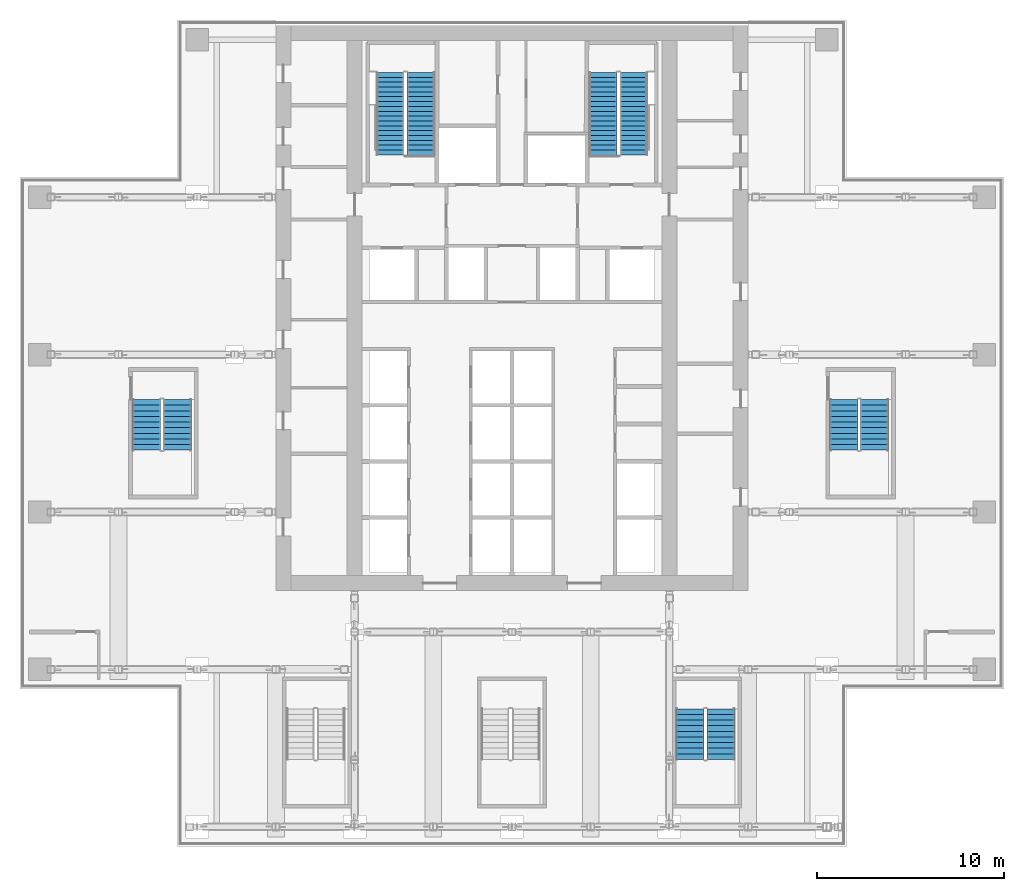
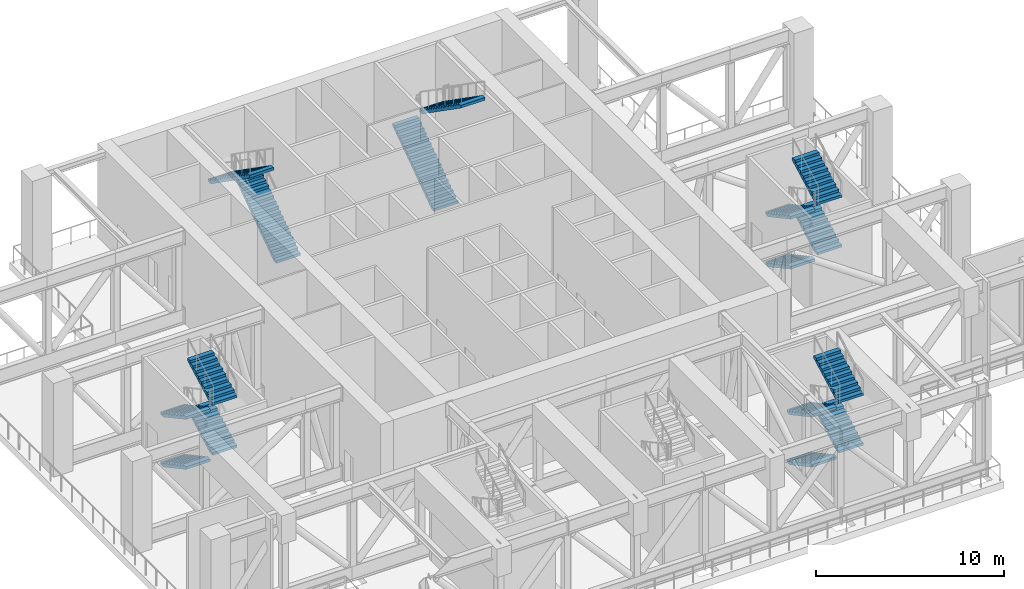
# One storey, part 19 of 23: 16 stair flights, 5 elements without a shape of their own.
"""IFC4 building model written with IfcOpenShell, lengths in metres."""

from ifc_helpers import new_model, si_unit, direction, frame, origin, place, context, subcontext, project, spatial, polyline, outline, extrude, material, type_object, element, aggregate, save


model = new_model("IFC4")

# Units and contexts
model_context = context("Model", 3, precision=1e-05, world=origin(), true_north=direction((0.0, 1.0)))
body_context = subcontext(model_context, "Body", "Model", "MODEL_VIEW")
ifc_project = project(units=[si_unit("LENGTHUNIT", "METRE"), si_unit("AREAUNIT", "SQUARE_METRE"), si_unit("VOLUMEUNIT", "CUBIC_METRE"), si_unit("PLANEANGLEUNIT", "RADIAN"), si_unit("MASSUNIT", "GRAM", prefix="KILO")], contexts=[model_context])

# Site, building, storey
site_placement = place(None, origin())
site = spatial("IfcSite", under=ifc_project, at=site_placement, CompositionType="ELEMENT")
building_placement = place(site_placement, origin())
building = spatial("IfcBuilding", under=site, at=building_placement, Name="Vermilion Ogive Tower", CompositionType="ELEMENT")
storey_placement = place(building_placement, frame((0.0, 0.0, 121.800048828125)))
storey = spatial("IfcBuildingStorey", under=building, at=storey_placement, Name="L31", CompositionType="ELEMENT", Elevation=121.800048828125)

# Stair, stair flights
ifc_material_1 = material(Name="Concrete B40", Category="concrete")
stair_type = type_object("IfcStairType", Name="Exit stair 1500", PredefinedType="HALF_TURN_STAIR", material=ifc_material_1)
stair_1_placement = place(storey_placement, origin())
stair_1 = element("IfcStair", 1, at=stair_1_placement, inside=storey, type_object=stair_type, Name="L31 Exit Stair ST1", PredefinedType="HALF_TURN_STAIR")
ifc_material_2 = material(Name="Concrete B40", Category="concrete")
stair_flight_type = type_object("IfcStairFlightType", Name="Stair flight 1500", PredefinedType="STRAIGHT", material=ifc_material_2)
stair_flight_1_placement = place(storey_placement, frame((-4.85009765625, 14.85009765625, 0.0), z_axis=(0.0, 0.0, 1.0), x_axis=(0.0, 1.0, 0.0)))
stair_flight_1 = element("IfcStairFlight", 2, at=stair_flight_1_placement, type_object=stair_flight_type, Name="ST1 flight 1", NumberOfRisers=18, NumberOfTreads=17, PredefinedType="STRAIGHT", RiserHeight=0.180555556, TreadLength=0.258823529, context=body_context, shape_type="SweptSolid", body=[
    extrude(outline(polyline([(0.0, 0.0), (0.0, 0.1806640625), (0.2587890625, 0.1806640625), (0.2587890625, 0.361083984375), (0.517578125, 0.361083984375), (0.517578125, 0.541748046875), (0.7763671875, 0.541748046875), (0.7763671875, 0.72216796875), (1.035400390625, 0.72216796875), (1.035400390625, 0.90283203125), (1.294189453125, 0.90283203125), (1.294189453125, 1.083251953125), (1.552978515625, 1.083251953125), (1.552978515625, 1.263916015625), (1.811767578125, 1.263916015625), (1.811767578125, 1.4443359375), (2.070556640625, 1.4443359375), (2.070556640625, 1.625), (2.329345703125, 1.625), (2.329345703125, 1.8056640625), (2.588134765625, 1.8056640625), (2.588134765625, 1.986083984375), (2.84716796875, 1.986083984375), (2.84716796875, 2.166748046875), (3.10595703125, 2.166748046875), (3.10595703125, 2.34716796875), (3.36474609375, 2.34716796875), (3.36474609375, 2.52783203125), (3.62353515625, 2.52783203125), (3.62353515625, 2.708251953125), (3.88232421875, 2.708251953125), (3.88232421875, 2.888916015625), (4.14111328125, 2.888916015625), (4.14111328125, 3.0693359375), (4.39990234375, 3.0693359375), (4.39990234375, 3.25), (4.39990234375, 2.88671875), (0.261962890625, 0.0), (0.0, 0.0)])), frame((0.0, 0.75, 0.0), z_axis=(0.0, -1.0, 0.0), x_axis=(1.0, 0.0, 0.0)), (0.0, 0.0, 1.0), 1.5),
])
stair_flight_2_placement = place(storey_placement, frame((-6.5, 19.25, 3.25), z_axis=(0.0, 0.0, 1.0), x_axis=(0.0, -1.0, 0.0)))
stair_flight_2 = element("IfcStairFlight", 3, at=stair_flight_2_placement, type_object=stair_flight_type, Name="ST1 flight 2", NumberOfRisers=18, NumberOfTreads=17, PredefinedType="STRAIGHT", RiserHeight=0.180555556, TreadLength=0.258823529, context=body_context, shape_type="SweptSolid", body=[
    extrude(outline(polyline([(0.0, 0.0), (0.0, 0.1806640625), (0.2587890625, 0.1806640625), (0.2587890625, 0.361083984375), (0.517578125, 0.361083984375), (0.517578125, 0.541748046875), (0.7763671875, 0.541748046875), (0.7763671875, 0.72216796875), (1.035400390625, 0.72216796875), (1.035400390625, 0.90283203125), (1.294189453125, 0.90283203125), (1.294189453125, 1.083251953125), (1.552978515625, 1.083251953125), (1.552978515625, 1.263916015625), (1.811767578125, 1.263916015625), (1.811767578125, 1.4443359375), (2.070556640625, 1.4443359375), (2.070556640625, 1.625), (2.329345703125, 1.625), (2.329345703125, 1.8056640625), (2.588134765625, 1.8056640625), (2.588134765625, 1.986083984375), (2.84716796875, 1.986083984375), (2.84716796875, 2.166748046875), (3.10595703125, 2.166748046875), (3.10595703125, 2.34716796875), (3.36474609375, 2.34716796875), (3.36474609375, 2.52783203125), (3.62353515625, 2.52783203125), (3.62353515625, 2.708251953125), (3.88232421875, 2.708251953125), (3.88232421875, 2.888916015625), (4.14111328125, 2.888916015625), (4.14111328125, 3.0693359375), (4.39990234375, 3.0693359375), (4.39990234375, 3.25), (4.39990234375, 2.88671875), (0.261962890625, 0.0), (0.0, 0.0)])), frame((0.0, 0.75, 0.0), z_axis=(0.0, -1.0, 0.0), x_axis=(1.0, 0.0, 0.0)), (0.0, 0.0, 1.0), 1.5),
])
aggregate(stair_1, [stair_flight_1, stair_flight_2])

stair_2_placement = place(storey_placement, origin())
stair_2 = element("IfcStair", 4, at=stair_2_placement, inside=storey, type_object=stair_type, Name="L31 Exit Stair ST2", PredefinedType="HALF_TURN_STAIR")
stair_flight_3_placement = place(storey_placement, frame((4.85009765625, 14.85009765625, 0.0), z_axis=(0.0, 0.0, 1.0), x_axis=(0.0, 1.0, 0.0)))
stair_flight_3 = element("IfcStairFlight", 5, at=stair_flight_3_placement, type_object=stair_flight_type, Name="ST2 flight 1", NumberOfRisers=18, NumberOfTreads=17, PredefinedType="STRAIGHT", RiserHeight=0.180555556, TreadLength=0.258823529, context=body_context, shape_type="SweptSolid", body=[
    extrude(outline(polyline([(0.0, 0.0), (0.0, 0.1806640625), (0.2587890625, 0.1806640625), (0.2587890625, 0.361083984375), (0.517578125, 0.361083984375), (0.517578125, 0.541748046875), (0.7763671875, 0.541748046875), (0.7763671875, 0.72216796875), (1.035400390625, 0.72216796875), (1.035400390625, 0.90283203125), (1.294189453125, 0.90283203125), (1.294189453125, 1.083251953125), (1.552978515625, 1.083251953125), (1.552978515625, 1.263916015625), (1.811767578125, 1.263916015625), (1.811767578125, 1.4443359375), (2.070556640625, 1.4443359375), (2.070556640625, 1.625), (2.329345703125, 1.625), (2.329345703125, 1.8056640625), (2.588134765625, 1.8056640625), (2.588134765625, 1.986083984375), (2.84716796875, 1.986083984375), (2.84716796875, 2.166748046875), (3.10595703125, 2.166748046875), (3.10595703125, 2.34716796875), (3.36474609375, 2.34716796875), (3.36474609375, 2.52783203125), (3.62353515625, 2.52783203125), (3.62353515625, 2.708251953125), (3.88232421875, 2.708251953125), (3.88232421875, 2.888916015625), (4.14111328125, 2.888916015625), (4.14111328125, 3.0693359375), (4.39990234375, 3.0693359375), (4.39990234375, 3.25), (4.39990234375, 2.88671875), (0.261962890625, 0.0), (0.0, 0.0)])), frame((0.0, 0.75, 0.0), z_axis=(0.0, -1.0, 0.0), x_axis=(1.0, 0.0, 0.0)), (0.0, 0.0, 1.0), 1.5),
])
stair_flight_4_placement = place(storey_placement, frame((6.5, 19.25, 3.25), z_axis=(0.0, 0.0, 1.0), x_axis=(0.0, -1.0, 0.0)))
stair_flight_4 = element("IfcStairFlight", 6, at=stair_flight_4_placement, type_object=stair_flight_type, Name="ST2 flight 2", NumberOfRisers=18, NumberOfTreads=17, PredefinedType="STRAIGHT", RiserHeight=0.180555556, TreadLength=0.258823529, context=body_context, shape_type="SweptSolid", body=[
    extrude(outline(polyline([(0.0, 0.0), (0.0, 0.1806640625), (0.2587890625, 0.1806640625), (0.2587890625, 0.361083984375), (0.517578125, 0.361083984375), (0.517578125, 0.541748046875), (0.7763671875, 0.541748046875), (0.7763671875, 0.72216796875), (1.035400390625, 0.72216796875), (1.035400390625, 0.90283203125), (1.294189453125, 0.90283203125), (1.294189453125, 1.083251953125), (1.552978515625, 1.083251953125), (1.552978515625, 1.263916015625), (1.811767578125, 1.263916015625), (1.811767578125, 1.4443359375), (2.070556640625, 1.4443359375), (2.070556640625, 1.625), (2.329345703125, 1.625), (2.329345703125, 1.8056640625), (2.588134765625, 1.8056640625), (2.588134765625, 1.986083984375), (2.84716796875, 1.986083984375), (2.84716796875, 2.166748046875), (3.10595703125, 2.166748046875), (3.10595703125, 2.34716796875), (3.36474609375, 2.34716796875), (3.36474609375, 2.52783203125), (3.62353515625, 2.52783203125), (3.62353515625, 2.708251953125), (3.88232421875, 2.708251953125), (3.88232421875, 2.888916015625), (4.14111328125, 2.888916015625), (4.14111328125, 3.0693359375), (4.39990234375, 3.0693359375), (4.39990234375, 3.25), (4.39990234375, 2.88671875), (0.261962890625, 0.0), (0.0, 0.0)])), frame((0.0, 0.75, 0.0), z_axis=(0.0, -1.0, 0.0), x_axis=(1.0, 0.0, 0.0)), (0.0, 0.0, 1.0), 1.5),
])
aggregate(stair_2, [stair_flight_3, stair_flight_4])

stair_3_placement = place(storey_placement, origin())
stair_3 = element("IfcStair", 7, at=stair_3_placement, inside=storey, type_object=stair_type, Name="L31 Exit Stair ST5", PredefinedType="HALF_TURN_STAIR")
stair_flight_5_placement = place(storey_placement, frame((9.5, -14.699951171875, 0.0), z_axis=(0.0, 0.0, 1.0), x_axis=(0.0, -1.0, 0.0)))
stair_flight_5 = element("IfcStairFlight", 8, at=stair_flight_5_placement, type_object=stair_flight_type, Name="ST5 flight 1", NumberOfRisers=10, NumberOfTreads=9, PredefinedType="STRAIGHT", RiserHeight=0.1625, TreadLength=0.3, context=body_context, shape_type="SweptSolid", body=[
    extrude(outline(polyline([(0.0, 0.0), (0.0, 0.16259765625), (0.300048828125, 0.16259765625), (0.300048828125, 0.324951171875), (0.60009765625, 0.324951171875), (0.60009765625, 0.487548828125), (0.89990234375, 0.487548828125), (0.89990234375, 0.64990234375), (1.199951171875, 0.64990234375), (1.199951171875, 0.8125), (1.5, 0.8125), (1.5, 0.97509765625), (1.800048828125, 0.97509765625), (1.800048828125, 1.137451171875), (2.10009765625, 1.137451171875), (2.10009765625, 1.300048828125), (2.39990234375, 1.300048828125), (2.39990234375, 1.46240234375), (2.699951171875, 1.46240234375), (2.699951171875, 1.625), (2.699951171875, 1.2919921875), (0.314697265625, 0.0), (0.0, 0.0)])), frame((0.0, 0.75, 0.0), z_axis=(0.0, -1.0, 0.0), x_axis=(1.0, 0.0, 0.0)), (0.0, 0.0, 1.0), 1.5),
])
stair_flight_6_placement = place(storey_placement, frame((11.14990234375, -17.39990234375, 1.625), z_axis=(0.0, 0.0, 1.0), x_axis=(0.0, 1.0, 0.0)))
stair_flight_6 = element("IfcStairFlight", 9, at=stair_flight_6_placement, type_object=stair_flight_type, Name="ST5 flight 2", NumberOfRisers=10, NumberOfTreads=9, PredefinedType="STRAIGHT", RiserHeight=0.1625, TreadLength=0.3, context=body_context, shape_type="SweptSolid", body=[
    extrude(outline(polyline([(0.0, 0.0), (0.0, 0.16259765625), (0.300048828125, 0.16259765625), (0.300048828125, 0.324951171875), (0.60009765625, 0.324951171875), (0.60009765625, 0.487548828125), (0.89990234375, 0.487548828125), (0.89990234375, 0.64990234375), (1.199951171875, 0.64990234375), (1.199951171875, 0.8125), (1.5, 0.8125), (1.5, 0.97509765625), (1.800048828125, 0.97509765625), (1.800048828125, 1.137451171875), (2.10009765625, 1.137451171875), (2.10009765625, 1.300048828125), (2.39990234375, 1.300048828125), (2.39990234375, 1.46240234375), (2.699951171875, 1.46240234375), (2.699951171875, 1.625), (2.699951171875, 1.2919921875), (0.314697265625, 0.0), (0.0, 0.0)])), frame((0.0, 0.75, 0.0), z_axis=(0.0, -1.0, 0.0), x_axis=(1.0, 0.0, 0.0)), (0.0, 0.0, 1.0), 1.5),
])
stair_flight_7_placement = place(storey_placement, frame((9.5, -14.699951171875, 3.25), z_axis=(0.0, 0.0, 1.0), x_axis=(0.0, -1.0, 0.0)))
stair_flight_7 = element("IfcStairFlight", 10, at=stair_flight_7_placement, type_object=stair_flight_type, Name="ST5 flight 3", NumberOfRisers=10, NumberOfTreads=9, PredefinedType="STRAIGHT", RiserHeight=0.1625, TreadLength=0.3, context=body_context, shape_type="SweptSolid", body=[
    extrude(outline(polyline([(0.0, 0.0), (0.0, 0.16259765625), (0.300048828125, 0.16259765625), (0.300048828125, 0.324951171875), (0.60009765625, 0.324951171875), (0.60009765625, 0.487548828125), (0.89990234375, 0.487548828125), (0.89990234375, 0.64990234375), (1.199951171875, 0.64990234375), (1.199951171875, 0.8125), (1.5, 0.8125), (1.5, 0.97509765625), (1.800048828125, 0.97509765625), (1.800048828125, 1.137451171875), (2.10009765625, 1.137451171875), (2.10009765625, 1.300048828125), (2.39990234375, 1.300048828125), (2.39990234375, 1.46240234375), (2.699951171875, 1.46240234375), (2.699951171875, 1.625), (2.699951171875, 1.2919921875), (0.314697265625, 0.0), (0.0, 0.0)])), frame((0.0, 0.75, 0.0), z_axis=(0.0, -1.0, 0.0), x_axis=(1.0, 0.0, 0.0)), (0.0, 0.0, 1.0), 1.5),
])
stair_flight_8_placement = place(storey_placement, frame((11.14990234375, -17.39990234375, 4.875), z_axis=(0.0, 0.0, 1.0), x_axis=(0.0, 1.0, 0.0)))
stair_flight_8 = element("IfcStairFlight", 11, at=stair_flight_8_placement, type_object=stair_flight_type, Name="ST5 flight 4", NumberOfRisers=10, NumberOfTreads=9, PredefinedType="STRAIGHT", RiserHeight=0.1625, TreadLength=0.3, context=body_context, shape_type="SweptSolid", body=[
    extrude(outline(polyline([(0.0, 0.0), (0.0, 0.16259765625), (0.300048828125, 0.16259765625), (0.300048828125, 0.324951171875), (0.60009765625, 0.324951171875), (0.60009765625, 0.487548828125), (0.89990234375, 0.487548828125), (0.89990234375, 0.64990234375), (1.199951171875, 0.64990234375), (1.199951171875, 0.8125), (1.5, 0.8125), (1.5, 0.97509765625), (1.800048828125, 0.97509765625), (1.800048828125, 1.137451171875), (2.10009765625, 1.137451171875), (2.10009765625, 1.300048828125), (2.39990234375, 1.300048828125), (2.39990234375, 1.46240234375), (2.699951171875, 1.46240234375), (2.699951171875, 1.625), (2.699951171875, 1.2919921875), (0.314697265625, 0.0), (0.0, 0.0)])), frame((0.0, 0.75, 0.0), z_axis=(0.0, -1.0, 0.0), x_axis=(1.0, 0.0, 0.0)), (0.0, 0.0, 1.0), 1.5),
])
aggregate(stair_3, [stair_flight_5, stair_flight_6, stair_flight_7, stair_flight_8])

stair_4_placement = place(storey_placement, origin())
stair_4 = element("IfcStair", 12, at=stair_4_placement, inside=storey, type_object=stair_type, Name="L31 Exit Stair ST8", PredefinedType="HALF_TURN_STAIR")
stair_flight_9_placement = place(storey_placement, frame((17.699951171875, 1.800048828125, 0.0), z_axis=(0.0, 0.0, 1.0), x_axis=(0.0, -1.0, 0.0)))
stair_flight_9 = element("IfcStairFlight", 13, at=stair_flight_9_placement, type_object=stair_flight_type, Name="ST8 flight 1", NumberOfRisers=10, NumberOfTreads=9, PredefinedType="STRAIGHT", RiserHeight=0.1625, TreadLength=0.3, context=body_context, shape_type="SweptSolid", body=[
    extrude(outline(polyline([(0.0, 0.0), (0.0, 0.16259765625), (0.300048828125, 0.16259765625), (0.300048828125, 0.324951171875), (0.60009765625, 0.324951171875), (0.60009765625, 0.487548828125), (0.89990234375, 0.487548828125), (0.89990234375, 0.64990234375), (1.199951171875, 0.64990234375), (1.199951171875, 0.8125), (1.5, 0.8125), (1.5, 0.97509765625), (1.800048828125, 0.97509765625), (1.800048828125, 1.137451171875), (2.10009765625, 1.137451171875), (2.10009765625, 1.300048828125), (2.39990234375, 1.300048828125), (2.39990234375, 1.46240234375), (2.699951171875, 1.46240234375), (2.699951171875, 1.625), (2.699951171875, 1.2919921875), (0.314697265625, 0.0), (0.0, 0.0)])), frame((0.0, 0.75, 0.0), z_axis=(0.0, -1.0, 0.0), x_axis=(1.0, 0.0, 0.0)), (0.0, 0.0, 1.0), 1.5),
])
stair_flight_10_placement = place(storey_placement, frame((19.35009765625, -0.89990234375, 1.625), z_axis=(0.0, 0.0, 1.0), x_axis=(0.0, 1.0, 0.0)))
stair_flight_10 = element("IfcStairFlight", 14, at=stair_flight_10_placement, type_object=stair_flight_type, Name="ST8 flight 2", NumberOfRisers=10, NumberOfTreads=9, PredefinedType="STRAIGHT", RiserHeight=0.1625, TreadLength=0.3, context=body_context, shape_type="SweptSolid", body=[
    extrude(outline(polyline([(0.0, 0.0), (0.0, 0.16259765625), (0.300048828125, 0.16259765625), (0.300048828125, 0.324951171875), (0.60009765625, 0.324951171875), (0.60009765625, 0.487548828125), (0.89990234375, 0.487548828125), (0.89990234375, 0.64990234375), (1.199951171875, 0.64990234375), (1.199951171875, 0.8125), (1.5, 0.8125), (1.5, 0.97509765625), (1.800048828125, 0.97509765625), (1.800048828125, 1.137451171875), (2.10009765625, 1.137451171875), (2.10009765625, 1.300048828125), (2.39990234375, 1.300048828125), (2.39990234375, 1.46240234375), (2.699951171875, 1.46240234375), (2.699951171875, 1.625), (2.699951171875, 1.2919921875), (0.314697265625, 0.0), (0.0, 0.0)])), frame((0.0, 0.75, 0.0), z_axis=(0.0, -1.0, 0.0), x_axis=(1.0, 0.0, 0.0)), (0.0, 0.0, 1.0), 1.5),
])
stair_flight_11_placement = place(storey_placement, frame((17.699951171875, 1.800048828125, 3.25), z_axis=(0.0, 0.0, 1.0), x_axis=(0.0, -1.0, 0.0)))
stair_flight_11 = element("IfcStairFlight", 15, at=stair_flight_11_placement, type_object=stair_flight_type, Name="ST8 flight 3", NumberOfRisers=10, NumberOfTreads=9, PredefinedType="STRAIGHT", RiserHeight=0.1625, TreadLength=0.3, context=body_context, shape_type="SweptSolid", body=[
    extrude(outline(polyline([(0.0, 0.0), (0.0, 0.16259765625), (0.300048828125, 0.16259765625), (0.300048828125, 0.324951171875), (0.60009765625, 0.324951171875), (0.60009765625, 0.487548828125), (0.89990234375, 0.487548828125), (0.89990234375, 0.64990234375), (1.199951171875, 0.64990234375), (1.199951171875, 0.8125), (1.5, 0.8125), (1.5, 0.97509765625), (1.800048828125, 0.97509765625), (1.800048828125, 1.137451171875), (2.10009765625, 1.137451171875), (2.10009765625, 1.300048828125), (2.39990234375, 1.300048828125), (2.39990234375, 1.46240234375), (2.699951171875, 1.46240234375), (2.699951171875, 1.625), (2.699951171875, 1.2919921875), (0.314697265625, 0.0), (0.0, 0.0)])), frame((0.0, 0.75, 0.0), z_axis=(0.0, -1.0, 0.0), x_axis=(1.0, 0.0, 0.0)), (0.0, 0.0, 1.0), 1.5),
])
stair_flight_12_placement = place(storey_placement, frame((19.35009765625, -0.89990234375, 4.875), z_axis=(0.0, 0.0, 1.0), x_axis=(0.0, 1.0, 0.0)))
stair_flight_12 = element("IfcStairFlight", 16, at=stair_flight_12_placement, type_object=stair_flight_type, Name="ST8 flight 4", NumberOfRisers=10, NumberOfTreads=9, PredefinedType="STRAIGHT", RiserHeight=0.1625, TreadLength=0.3, context=body_context, shape_type="SweptSolid", body=[
    extrude(outline(polyline([(0.0, 0.0), (0.0, 0.16259765625), (0.300048828125, 0.16259765625), (0.300048828125, 0.324951171875), (0.60009765625, 0.324951171875), (0.60009765625, 0.487548828125), (0.89990234375, 0.487548828125), (0.89990234375, 0.64990234375), (1.199951171875, 0.64990234375), (1.199951171875, 0.8125), (1.5, 0.8125), (1.5, 0.97509765625), (1.800048828125, 0.97509765625), (1.800048828125, 1.137451171875), (2.10009765625, 1.137451171875), (2.10009765625, 1.300048828125), (2.39990234375, 1.300048828125), (2.39990234375, 1.46240234375), (2.699951171875, 1.46240234375), (2.699951171875, 1.625), (2.699951171875, 1.2919921875), (0.314697265625, 0.0), (0.0, 0.0)])), frame((0.0, 0.75, 0.0), z_axis=(0.0, -1.0, 0.0), x_axis=(1.0, 0.0, 0.0)), (0.0, 0.0, 1.0), 1.5),
])
aggregate(stair_4, [stair_flight_9, stair_flight_10, stair_flight_11, stair_flight_12])

stair_5_placement = place(storey_placement, origin())
stair_5 = element("IfcStair", 17, at=stair_5_placement, inside=storey, type_object=stair_type, Name="L31 Exit Stair ST9", PredefinedType="HALF_TURN_STAIR")
stair_flight_13_placement = place(storey_placement, frame((-19.5, 1.800048828125, 0.0), z_axis=(0.0, 0.0, 1.0), x_axis=(0.0, -1.0, 0.0)))
stair_flight_13 = element("IfcStairFlight", 18, at=stair_flight_13_placement, type_object=stair_flight_type, Name="ST9 flight 1", NumberOfRisers=10, NumberOfTreads=9, PredefinedType="STRAIGHT", RiserHeight=0.1625, TreadLength=0.3, context=body_context, shape_type="SweptSolid", body=[
    extrude(outline(polyline([(0.0, 0.0), (0.0, 0.16259765625), (0.300048828125, 0.16259765625), (0.300048828125, 0.324951171875), (0.60009765625, 0.324951171875), (0.60009765625, 0.487548828125), (0.89990234375, 0.487548828125), (0.89990234375, 0.64990234375), (1.199951171875, 0.64990234375), (1.199951171875, 0.8125), (1.5, 0.8125), (1.5, 0.97509765625), (1.800048828125, 0.97509765625), (1.800048828125, 1.137451171875), (2.10009765625, 1.137451171875), (2.10009765625, 1.300048828125), (2.39990234375, 1.300048828125), (2.39990234375, 1.46240234375), (2.699951171875, 1.46240234375), (2.699951171875, 1.625), (2.699951171875, 1.2919921875), (0.314697265625, 0.0), (0.0, 0.0)])), frame((0.0, 0.75, 0.0), z_axis=(0.0, -1.0, 0.0), x_axis=(1.0, 0.0, 0.0)), (0.0, 0.0, 1.0), 1.5),
])
stair_flight_14_placement = place(storey_placement, frame((-17.85009765625, -0.89990234375, 1.625), z_axis=(0.0, 0.0, 1.0), x_axis=(0.0, 1.0, 0.0)))
stair_flight_14 = element("IfcStairFlight", 19, at=stair_flight_14_placement, type_object=stair_flight_type, Name="ST9 flight 2", NumberOfRisers=10, NumberOfTreads=9, PredefinedType="STRAIGHT", RiserHeight=0.1625, TreadLength=0.3, context=body_context, shape_type="SweptSolid", body=[
    extrude(outline(polyline([(0.0, 0.0), (0.0, 0.16259765625), (0.300048828125, 0.16259765625), (0.300048828125, 0.324951171875), (0.60009765625, 0.324951171875), (0.60009765625, 0.487548828125), (0.89990234375, 0.487548828125), (0.89990234375, 0.64990234375), (1.199951171875, 0.64990234375), (1.199951171875, 0.8125), (1.5, 0.8125), (1.5, 0.97509765625), (1.800048828125, 0.97509765625), (1.800048828125, 1.137451171875), (2.10009765625, 1.137451171875), (2.10009765625, 1.300048828125), (2.39990234375, 1.300048828125), (2.39990234375, 1.46240234375), (2.699951171875, 1.46240234375), (2.699951171875, 1.625), (2.699951171875, 1.2919921875), (0.314697265625, 0.0), (0.0, 0.0)])), frame((0.0, 0.75, 0.0), z_axis=(0.0, -1.0, 0.0), x_axis=(1.0, 0.0, 0.0)), (0.0, 0.0, 1.0), 1.5),
])
stair_flight_15_placement = place(storey_placement, frame((-19.5, 1.800048828125, 3.25), z_axis=(0.0, 0.0, 1.0), x_axis=(0.0, -1.0, 0.0)))
stair_flight_15 = element("IfcStairFlight", 20, at=stair_flight_15_placement, type_object=stair_flight_type, Name="ST9 flight 3", NumberOfRisers=10, NumberOfTreads=9, PredefinedType="STRAIGHT", RiserHeight=0.1625, TreadLength=0.3, context=body_context, shape_type="SweptSolid", body=[
    extrude(outline(polyline([(0.0, 0.0), (0.0, 0.16259765625), (0.300048828125, 0.16259765625), (0.300048828125, 0.324951171875), (0.60009765625, 0.324951171875), (0.60009765625, 0.487548828125), (0.89990234375, 0.487548828125), (0.89990234375, 0.64990234375), (1.199951171875, 0.64990234375), (1.199951171875, 0.8125), (1.5, 0.8125), (1.5, 0.97509765625), (1.800048828125, 0.97509765625), (1.800048828125, 1.137451171875), (2.10009765625, 1.137451171875), (2.10009765625, 1.300048828125), (2.39990234375, 1.300048828125), (2.39990234375, 1.46240234375), (2.699951171875, 1.46240234375), (2.699951171875, 1.625), (2.699951171875, 1.2919921875), (0.314697265625, 0.0), (0.0, 0.0)])), frame((0.0, 0.75, 0.0), z_axis=(0.0, -1.0, 0.0), x_axis=(1.0, 0.0, 0.0)), (0.0, 0.0, 1.0), 1.5),
])
stair_flight_16_placement = place(storey_placement, frame((-17.85009765625, -0.89990234375, 4.875), z_axis=(0.0, 0.0, 1.0), x_axis=(0.0, 1.0, 0.0)))
stair_flight_16 = element("IfcStairFlight", 21, at=stair_flight_16_placement, type_object=stair_flight_type, Name="ST9 flight 4", NumberOfRisers=10, NumberOfTreads=9, PredefinedType="STRAIGHT", RiserHeight=0.1625, TreadLength=0.3, context=body_context, shape_type="SweptSolid", body=[
    extrude(outline(polyline([(0.0, 0.0), (0.0, 0.16259765625), (0.300048828125, 0.16259765625), (0.300048828125, 0.324951171875), (0.60009765625, 0.324951171875), (0.60009765625, 0.487548828125), (0.89990234375, 0.487548828125), (0.89990234375, 0.64990234375), (1.199951171875, 0.64990234375), (1.199951171875, 0.8125), (1.5, 0.8125), (1.5, 0.97509765625), (1.800048828125, 0.97509765625), (1.800048828125, 1.137451171875), (2.10009765625, 1.137451171875), (2.10009765625, 1.300048828125), (2.39990234375, 1.300048828125), (2.39990234375, 1.46240234375), (2.699951171875, 1.46240234375), (2.699951171875, 1.625), (2.699951171875, 1.2919921875), (0.314697265625, 0.0), (0.0, 0.0)])), frame((0.0, 0.75, 0.0), z_axis=(0.0, -1.0, 0.0), x_axis=(1.0, 0.0, 0.0)), (0.0, 0.0, 1.0), 1.5),
])
aggregate(stair_5, [stair_flight_13, stair_flight_14, stair_flight_15, stair_flight_16])

save(model, "model.ifc")
